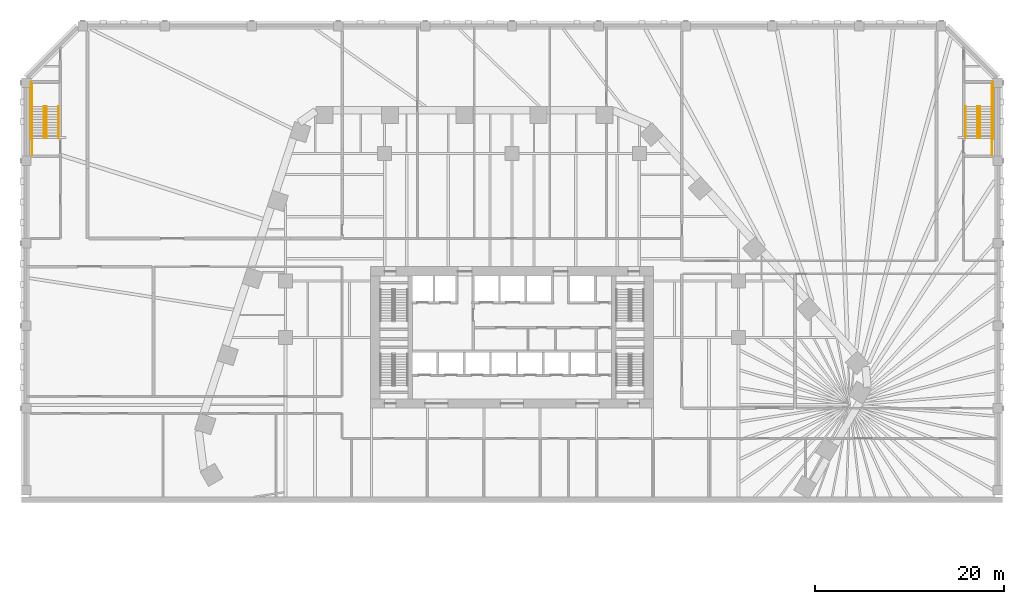
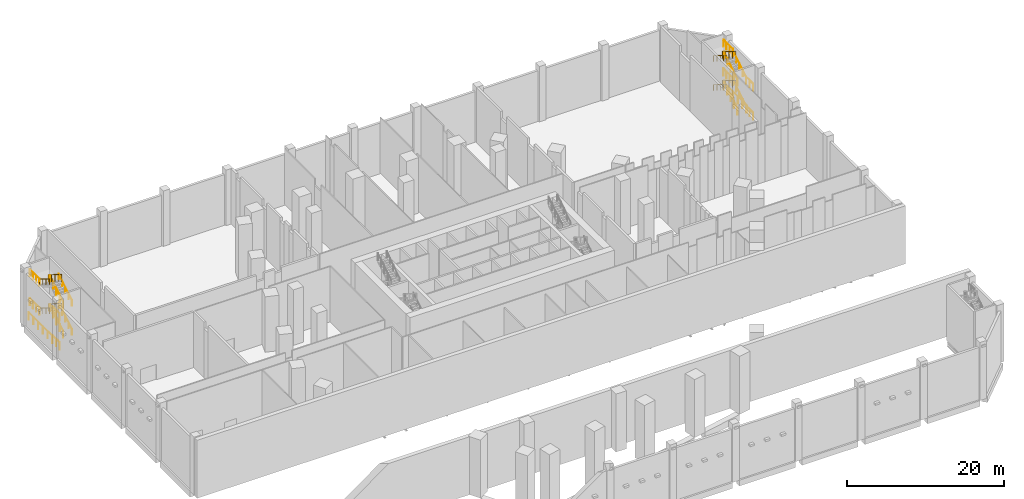
# One storey, part 23 of 23: 26 railings.
"""IFC4 building model written with IfcOpenShell, lengths in metres."""

from ifc_helpers import new_model, si_unit, direction, frame, origin, origin_2d, place, context, subcontext, project, spatial, circle, extrude, material, type_object, element, save


model = new_model("IFC4")

# Units and contexts
model_context = context("Model", 3, precision=1e-05, world=origin(), true_north=direction((0.0, 1.0)))
body_context = subcontext(model_context, "Body", "Model", "MODEL_VIEW")
ifc_project = project(units=[si_unit("LENGTHUNIT", "METRE"), si_unit("AREAUNIT", "SQUARE_METRE"), si_unit("VOLUMEUNIT", "CUBIC_METRE"), si_unit("PLANEANGLEUNIT", "RADIAN"), si_unit("MASSUNIT", "GRAM", prefix="KILO")], contexts=[model_context])

# Site, building, storey
site_placement = place(None, origin())
site = spatial("IfcSite", under=ifc_project, at=site_placement, CompositionType="ELEMENT")
building_placement = place(site_placement, origin())
building = spatial("IfcBuilding", under=site, at=building_placement, Name="Isthmus Gate Tower", CompositionType="ELEMENT")
storey_placement = place(building_placement, frame((0.0, 0.0, 9.0)))
storey = spatial("IfcBuildingStorey", under=building, at=storey_placement, Name="L01", CompositionType="ELEMENT", Elevation=9.0)

# Railings
ifc_material_1 = material(Name="Painted steel balusters with timber handrail", Category="steel")
railing_type_1 = type_object("IfcRailingType", Name="Podium stair guard 1100", PredefinedType="GUARDRAIL", material=ifc_material_1)
railing_1_placement = place(storey_placement, frame((49.60009765625, 28.625, 0.173095703125)))
element("IfcRailing", 1, at=railing_1_placement, inside=storey, type_object=railing_type_1, Name="L01 ST5 stair guard 1", PredefinedType="GUARDRAIL", context=body_context, shape_type="SweptSolid", body=[
    extrude(circle(Radius=0.02392578125, at=origin_2d()), frame((0.0, 0.0, 1.076171875), z_axis=(0.0, 0.850623216509, 0.525775754039), x_axis=(-1.0, 0.0, 0.0)), (0.0, 0.0, 1.0), 3.9501953125),
    extrude(circle(Radius=0.02099609375, at=origin_2d()), origin(), (0.0, 0.0, 1.0), 1.052001953125),
    extrude(circle(Radius=0.02099609375, at=origin_2d()), frame((0.0, 0.840087890625, 0.519287109375)), (0.0, 0.0, 1.0), 1.052001953125),
    extrude(circle(Radius=0.02099609375, at=origin_2d()), frame((0.0, 1.68017578125, 1.03857421875)), (0.0, 0.0, 1.0), 1.052001953125),
    extrude(circle(Radius=0.02099609375, at=origin_2d()), frame((0.0, 2.52001953125, 1.5576171875)), (0.0, 0.0, 1.0), 1.052001953125),
    extrude(circle(Radius=0.02099609375, at=origin_2d()), frame((0.0, 3.360107421875, 2.076904296875)), (0.0, 0.0, 1.0), 1.052001953125),
])
railing_2_placement = place(storey_placement, frame((50.89990234375, 31.985107421875, 2.25)))
element("IfcRailing", 2, at=railing_2_placement, inside=storey, type_object=railing_type_1, Name="L01 ST5 stair guard 2", PredefinedType="GUARDRAIL", context=body_context, shape_type="SweptSolid", body=[
    extrude(circle(Radius=0.02392578125, at=origin_2d()), frame((0.0, 0.0, 1.076171875), z_axis=(0.0, 1.0, 0.0), x_axis=(-1.0, 0.0, 0.0)), (0.0, 0.0, 1.0), 2.43994140625),
    extrude(circle(Radius=0.02099609375, at=origin_2d()), origin(), (0.0, 0.0, 1.0), 1.052001953125),
    extrude(circle(Radius=0.02099609375, at=origin_2d()), frame((0.0, 0.813232421875, 0.0)), (0.0, 0.0, 1.0), 1.052001953125),
    extrude(circle(Radius=0.02099609375, at=origin_2d()), frame((0.0, 1.626708984375, 0.0)), (0.0, 0.0, 1.0), 1.052001953125),
    extrude(circle(Radius=0.02099609375, at=origin_2d()), frame((0.0, 2.43994140625, 0.0)), (0.0, 0.0, 1.0), 1.052001953125),
])
railing_3_placement = place(storey_placement, frame((49.35009765625, 31.985107421875, 2.423095703125)))
element("IfcRailing", 3, at=railing_3_placement, inside=storey, type_object=railing_type_1, Name="L01 ST5 stair guard 3", PredefinedType="GUARDRAIL", context=body_context, shape_type="SweptSolid", body=[
    extrude(circle(Radius=0.02392578125, at=origin_2d()), frame((0.0, 0.0, 1.076171875), z_axis=(0.0, -0.850623216509, 0.525775754039), x_axis=(1.0, 0.0, 0.0)), (0.0, 0.0, 1.0), 3.9501953125),
    extrude(circle(Radius=0.02099609375, at=origin_2d()), origin(), (0.0, 0.0, 1.0), 1.052001953125),
    extrude(circle(Radius=0.02099609375, at=origin_2d()), frame((0.0, -0.840087890625, 0.519287109375)), (0.0, 0.0, 1.0), 1.052001953125),
    extrude(circle(Radius=0.02099609375, at=origin_2d()), frame((0.0, -1.68017578125, 1.03857421875)), (0.0, 0.0, 1.0), 1.052001953125),
    extrude(circle(Radius=0.02099609375, at=origin_2d()), frame((0.0, -2.52001953125, 1.5576171875)), (0.0, 0.0, 1.0), 1.052001953125),
    extrude(circle(Radius=0.02099609375, at=origin_2d()), frame((0.0, -3.360107421875, 2.076904296875)), (0.0, 0.0, 1.0), 1.052001953125),
])
railing_4_placement = place(storey_placement, frame((50.89990234375, 26.824951171875, 4.5)))
element("IfcRailing", 4, at=railing_4_placement, inside=storey, type_object=railing_type_1, Name="L01 ST5 stair guard 4", PredefinedType="GUARDRAIL", context=body_context, shape_type="SweptSolid", body=[
    extrude(circle(Radius=0.02392578125, at=origin_2d()), frame((0.0, 0.0, 1.076171875), z_axis=(0.0, 1.0, 0.0), x_axis=(-1.0, 0.0, 0.0)), (0.0, 0.0, 1.0), 1.800048828125),
    extrude(circle(Radius=0.02099609375, at=origin_2d()), origin(), (0.0, 0.0, 1.0), 1.052001953125),
    extrude(circle(Radius=0.02099609375, at=origin_2d()), frame((0.0, 0.89990234375, 0.0)), (0.0, 0.0, 1.0), 1.052001953125),
    extrude(circle(Radius=0.02099609375, at=origin_2d()), frame((0.0, 1.800048828125, 0.0)), (0.0, 0.0, 1.0), 1.052001953125),
])
railing_5_placement = place(storey_placement, frame((49.60009765625, 28.625, 4.673095703125)))
element("IfcRailing", 5, at=railing_5_placement, inside=storey, type_object=railing_type_1, Name="L01 ST5 stair guard 5", PredefinedType="GUARDRAIL", context=body_context, shape_type="SweptSolid", body=[
    extrude(circle(Radius=0.02392578125, at=origin_2d()), frame((0.0, 0.0, 1.076171875), z_axis=(0.0, 0.850623216509, 0.525775754039), x_axis=(-1.0, 0.0, 0.0)), (0.0, 0.0, 1.0), 3.9501953125),
    extrude(circle(Radius=0.02099609375, at=origin_2d()), origin(), (0.0, 0.0, 1.0), 1.052001953125),
    extrude(circle(Radius=0.02099609375, at=origin_2d()), frame((0.0, 0.840087890625, 0.519287109375)), (0.0, 0.0, 1.0), 1.052001953125),
    extrude(circle(Radius=0.02099609375, at=origin_2d()), frame((0.0, 1.68017578125, 1.03857421875)), (0.0, 0.0, 1.0), 1.052001953125),
    extrude(circle(Radius=0.02099609375, at=origin_2d()), frame((0.0, 2.52001953125, 1.5576171875)), (0.0, 0.0, 1.0), 1.052001953125),
    extrude(circle(Radius=0.02099609375, at=origin_2d()), frame((0.0, 3.360107421875, 2.076904296875)), (0.0, 0.0, 1.0), 1.052001953125),
])
railing_6_placement = place(storey_placement, frame((50.89990234375, 31.985107421875, 6.75)))
element("IfcRailing", 6, at=railing_6_placement, inside=storey, type_object=railing_type_1, Name="L01 ST5 stair guard 6", PredefinedType="GUARDRAIL", context=body_context, shape_type="SweptSolid", body=[
    extrude(circle(Radius=0.02392578125, at=origin_2d()), frame((0.0, 0.0, 1.076171875), z_axis=(0.0, 1.0, 0.0), x_axis=(-1.0, 0.0, 0.0)), (0.0, 0.0, 1.0), 2.43994140625),
    extrude(circle(Radius=0.02099609375, at=origin_2d()), origin(), (0.0, 0.0, 1.0), 1.052001953125),
    extrude(circle(Radius=0.02099609375, at=origin_2d()), frame((0.0, 0.813232421875, 0.0)), (0.0, 0.0, 1.0), 1.052001953125),
    extrude(circle(Radius=0.02099609375, at=origin_2d()), frame((0.0, 1.626708984375, 0.0)), (0.0, 0.0, 1.0), 1.052001953125),
    extrude(circle(Radius=0.02099609375, at=origin_2d()), frame((0.0, 2.43994140625, 0.0)), (0.0, 0.0, 1.0), 1.052001953125),
])
railing_7_placement = place(storey_placement, frame((49.35009765625, 31.985107421875, 6.923095703125)))
element("IfcRailing", 7, at=railing_7_placement, inside=storey, type_object=railing_type_1, Name="L01 ST5 stair guard 7", PredefinedType="GUARDRAIL", context=body_context, shape_type="SweptSolid", body=[
    extrude(circle(Radius=0.02392578125, at=origin_2d()), frame((0.0, 0.0, 1.076171875), z_axis=(0.0, -0.850623216509, 0.525775754039), x_axis=(1.0, 0.0, 0.0)), (0.0, 0.0, 1.0), 3.9501953125),
    extrude(circle(Radius=0.02099609375, at=origin_2d()), origin(), (0.0, 0.0, 1.0), 1.052001953125),
    extrude(circle(Radius=0.02099609375, at=origin_2d()), frame((0.0, -0.840087890625, 0.519287109375)), (0.0, 0.0, 1.0), 1.052001953125),
    extrude(circle(Radius=0.02099609375, at=origin_2d()), frame((0.0, -1.68017578125, 1.03857421875)), (0.0, 0.0, 1.0), 1.052001953125),
    extrude(circle(Radius=0.02099609375, at=origin_2d()), frame((0.0, -2.52001953125, 1.5576171875)), (0.0, 0.0, 1.0), 1.052001953125),
    extrude(circle(Radius=0.02099609375, at=origin_2d()), frame((0.0, -3.360107421875, 2.076904296875)), (0.0, 0.0, 1.0), 1.052001953125),
])
railing_8_placement = place(storey_placement, frame((50.89990234375, 26.824951171875, 0.0)))
element("IfcRailing", 8, at=railing_8_placement, inside=storey, type_object=railing_type_1, Name="L01 ST5 stair guard 8", PredefinedType="GUARDRAIL", context=body_context, shape_type="SweptSolid", body=[
    extrude(circle(Radius=0.02392578125, at=origin_2d()), frame((0.0, 0.0, 1.076171875), z_axis=(0.0, 1.0, 0.0), x_axis=(-1.0, 0.0, 0.0)), (0.0, 0.0, 1.0), 1.800048828125),
    extrude(circle(Radius=0.02099609375, at=origin_2d()), origin(), (0.0, 0.0, 1.0), 1.052001953125),
    extrude(circle(Radius=0.02099609375, at=origin_2d()), frame((0.0, 0.89990234375, 0.0)), (0.0, 0.0, 1.0), 1.052001953125),
    extrude(circle(Radius=0.02099609375, at=origin_2d()), frame((0.0, 1.800048828125, 0.0)), (0.0, 0.0, 1.0), 1.052001953125),
])
railing_9_placement = place(storey_placement, frame((51.0, 28.52490234375, 0.0)))
element("IfcRailing", 9, at=railing_9_placement, inside=storey, type_object=railing_type_1, Name="L01 ST5 stair guard 9", PredefinedType="GUARDRAIL", context=body_context, shape_type="SweptSolid", body=[
    extrude(circle(Radius=0.02392578125, at=origin_2d()), frame((0.0, 0.0, 1.076171875), z_axis=(0.0, 1.0, 0.0), x_axis=(-1.0, 0.0, 0.0)), (0.0, 0.0, 1.0), 6.0),
    extrude(circle(Radius=0.02099609375, at=origin_2d()), origin(), (0.0, 0.0, 1.0), 1.052001953125),
    extrude(circle(Radius=0.02099609375, at=origin_2d()), frame((0.0, 1.199951171875, 0.0)), (0.0, 0.0, 1.0), 1.052001953125),
    extrude(circle(Radius=0.02099609375, at=origin_2d()), frame((0.0, 2.39990234375, 0.0)), (0.0, 0.0, 1.0), 1.052001953125),
    extrude(circle(Radius=0.02099609375, at=origin_2d()), frame((0.0, 3.60009765625, 0.0)), (0.0, 0.0, 1.0), 1.052001953125),
    extrude(circle(Radius=0.02099609375, at=origin_2d()), frame((0.0, 4.800048828125, 0.0)), (0.0, 0.0, 1.0), 1.052001953125),
    extrude(circle(Radius=0.02099609375, at=origin_2d()), frame((0.0, 6.0, 0.0)), (0.0, 0.0, 1.0), 1.052001953125),
])
railing_10_placement = place(storey_placement, frame((-49.35009765625, 28.625, 0.173095703125)))
element("IfcRailing", 10, at=railing_10_placement, inside=storey, type_object=railing_type_1, Name="L01 ST6 stair guard 1", PredefinedType="GUARDRAIL", context=body_context, shape_type="SweptSolid", body=[
    extrude(circle(Radius=0.02392578125, at=origin_2d()), frame((0.0, 0.0, 1.076171875), z_axis=(0.0, 0.850623216509, 0.525775754039), x_axis=(-1.0, 0.0, 0.0)), (0.0, 0.0, 1.0), 3.9501953125),
    extrude(circle(Radius=0.02099609375, at=origin_2d()), origin(), (0.0, 0.0, 1.0), 1.052001953125),
    extrude(circle(Radius=0.02099609375, at=origin_2d()), frame((0.0, 0.840087890625, 0.519287109375)), (0.0, 0.0, 1.0), 1.052001953125),
    extrude(circle(Radius=0.02099609375, at=origin_2d()), frame((0.0, 1.68017578125, 1.03857421875)), (0.0, 0.0, 1.0), 1.052001953125),
    extrude(circle(Radius=0.02099609375, at=origin_2d()), frame((0.0, 2.52001953125, 1.5576171875)), (0.0, 0.0, 1.0), 1.052001953125),
    extrude(circle(Radius=0.02099609375, at=origin_2d()), frame((0.0, 3.360107421875, 2.076904296875)), (0.0, 0.0, 1.0), 1.052001953125),
])
railing_11_placement = place(storey_placement, frame((-50.89990234375, 31.985107421875, 2.25)))
element("IfcRailing", 11, at=railing_11_placement, inside=storey, type_object=railing_type_1, Name="L01 ST6 stair guard 2", PredefinedType="GUARDRAIL", context=body_context, shape_type="SweptSolid", body=[
    extrude(circle(Radius=0.02392578125, at=origin_2d()), frame((0.0, 0.0, 1.076171875), z_axis=(0.0, 1.0, 0.0), x_axis=(-1.0, 0.0, 0.0)), (0.0, 0.0, 1.0), 2.43994140625),
    extrude(circle(Radius=0.02099609375, at=origin_2d()), origin(), (0.0, 0.0, 1.0), 1.052001953125),
    extrude(circle(Radius=0.02099609375, at=origin_2d()), frame((0.0, 0.813232421875, 0.0)), (0.0, 0.0, 1.0), 1.052001953125),
    extrude(circle(Radius=0.02099609375, at=origin_2d()), frame((0.0, 1.626708984375, 0.0)), (0.0, 0.0, 1.0), 1.052001953125),
    extrude(circle(Radius=0.02099609375, at=origin_2d()), frame((0.0, 2.43994140625, 0.0)), (0.0, 0.0, 1.0), 1.052001953125),
])
railing_12_placement = place(storey_placement, frame((-49.60009765625, 31.985107421875, 2.423095703125)))
element("IfcRailing", 12, at=railing_12_placement, inside=storey, type_object=railing_type_1, Name="L01 ST6 stair guard 3", PredefinedType="GUARDRAIL", context=body_context, shape_type="SweptSolid", body=[
    extrude(circle(Radius=0.02392578125, at=origin_2d()), frame((0.0, 0.0, 1.076171875), z_axis=(0.0, -0.850623216509, 0.525775754039), x_axis=(1.0, 0.0, 0.0)), (0.0, 0.0, 1.0), 3.9501953125),
    extrude(circle(Radius=0.02099609375, at=origin_2d()), origin(), (0.0, 0.0, 1.0), 1.052001953125),
    extrude(circle(Radius=0.02099609375, at=origin_2d()), frame((0.0, -0.840087890625, 0.519287109375)), (0.0, 0.0, 1.0), 1.052001953125),
    extrude(circle(Radius=0.02099609375, at=origin_2d()), frame((0.0, -1.68017578125, 1.03857421875)), (0.0, 0.0, 1.0), 1.052001953125),
    extrude(circle(Radius=0.02099609375, at=origin_2d()), frame((0.0, -2.52001953125, 1.5576171875)), (0.0, 0.0, 1.0), 1.052001953125),
    extrude(circle(Radius=0.02099609375, at=origin_2d()), frame((0.0, -3.360107421875, 2.076904296875)), (0.0, 0.0, 1.0), 1.052001953125),
])
railing_13_placement = place(storey_placement, frame((-50.89990234375, 26.824951171875, 4.5)))
element("IfcRailing", 13, at=railing_13_placement, inside=storey, type_object=railing_type_1, Name="L01 ST6 stair guard 4", PredefinedType="GUARDRAIL", context=body_context, shape_type="SweptSolid", body=[
    extrude(circle(Radius=0.02392578125, at=origin_2d()), frame((0.0, 0.0, 1.076171875), z_axis=(0.0, 1.0, 0.0), x_axis=(-1.0, 0.0, 0.0)), (0.0, 0.0, 1.0), 1.800048828125),
    extrude(circle(Radius=0.02099609375, at=origin_2d()), origin(), (0.0, 0.0, 1.0), 1.052001953125),
    extrude(circle(Radius=0.02099609375, at=origin_2d()), frame((0.0, 0.89990234375, 0.0)), (0.0, 0.0, 1.0), 1.052001953125),
    extrude(circle(Radius=0.02099609375, at=origin_2d()), frame((0.0, 1.800048828125, 0.0)), (0.0, 0.0, 1.0), 1.052001953125),
])
railing_14_placement = place(storey_placement, frame((-49.35009765625, 28.625, 4.673095703125)))
element("IfcRailing", 14, at=railing_14_placement, inside=storey, type_object=railing_type_1, Name="L01 ST6 stair guard 5", PredefinedType="GUARDRAIL", context=body_context, shape_type="SweptSolid", body=[
    extrude(circle(Radius=0.02392578125, at=origin_2d()), frame((0.0, 0.0, 1.076171875), z_axis=(0.0, 0.850623216509, 0.525775754039), x_axis=(-1.0, 0.0, 0.0)), (0.0, 0.0, 1.0), 3.9501953125),
    extrude(circle(Radius=0.02099609375, at=origin_2d()), origin(), (0.0, 0.0, 1.0), 1.052001953125),
    extrude(circle(Radius=0.02099609375, at=origin_2d()), frame((0.0, 0.840087890625, 0.519287109375)), (0.0, 0.0, 1.0), 1.052001953125),
    extrude(circle(Radius=0.02099609375, at=origin_2d()), frame((0.0, 1.68017578125, 1.03857421875)), (0.0, 0.0, 1.0), 1.052001953125),
    extrude(circle(Radius=0.02099609375, at=origin_2d()), frame((0.0, 2.52001953125, 1.5576171875)), (0.0, 0.0, 1.0), 1.052001953125),
    extrude(circle(Radius=0.02099609375, at=origin_2d()), frame((0.0, 3.360107421875, 2.076904296875)), (0.0, 0.0, 1.0), 1.052001953125),
])
railing_15_placement = place(storey_placement, frame((-50.89990234375, 31.985107421875, 6.75)))
element("IfcRailing", 15, at=railing_15_placement, inside=storey, type_object=railing_type_1, Name="L01 ST6 stair guard 6", PredefinedType="GUARDRAIL", context=body_context, shape_type="SweptSolid", body=[
    extrude(circle(Radius=0.02392578125, at=origin_2d()), frame((0.0, 0.0, 1.076171875), z_axis=(0.0, 1.0, 0.0), x_axis=(-1.0, 0.0, 0.0)), (0.0, 0.0, 1.0), 2.43994140625),
    extrude(circle(Radius=0.02099609375, at=origin_2d()), origin(), (0.0, 0.0, 1.0), 1.052001953125),
    extrude(circle(Radius=0.02099609375, at=origin_2d()), frame((0.0, 0.813232421875, 0.0)), (0.0, 0.0, 1.0), 1.052001953125),
    extrude(circle(Radius=0.02099609375, at=origin_2d()), frame((0.0, 1.626708984375, 0.0)), (0.0, 0.0, 1.0), 1.052001953125),
    extrude(circle(Radius=0.02099609375, at=origin_2d()), frame((0.0, 2.43994140625, 0.0)), (0.0, 0.0, 1.0), 1.052001953125),
])
railing_16_placement = place(storey_placement, frame((-49.60009765625, 31.985107421875, 6.923095703125)))
element("IfcRailing", 16, at=railing_16_placement, inside=storey, type_object=railing_type_1, Name="L01 ST6 stair guard 7", PredefinedType="GUARDRAIL", context=body_context, shape_type="SweptSolid", body=[
    extrude(circle(Radius=0.02392578125, at=origin_2d()), frame((0.0, 0.0, 1.076171875), z_axis=(0.0, -0.850623216509, 0.525775754039), x_axis=(1.0, 0.0, 0.0)), (0.0, 0.0, 1.0), 3.9501953125),
    extrude(circle(Radius=0.02099609375, at=origin_2d()), origin(), (0.0, 0.0, 1.0), 1.052001953125),
    extrude(circle(Radius=0.02099609375, at=origin_2d()), frame((0.0, -0.840087890625, 0.519287109375)), (0.0, 0.0, 1.0), 1.052001953125),
    extrude(circle(Radius=0.02099609375, at=origin_2d()), frame((0.0, -1.68017578125, 1.03857421875)), (0.0, 0.0, 1.0), 1.052001953125),
    extrude(circle(Radius=0.02099609375, at=origin_2d()), frame((0.0, -2.52001953125, 1.5576171875)), (0.0, 0.0, 1.0), 1.052001953125),
    extrude(circle(Radius=0.02099609375, at=origin_2d()), frame((0.0, -3.360107421875, 2.076904296875)), (0.0, 0.0, 1.0), 1.052001953125),
])
railing_17_placement = place(storey_placement, frame((-50.89990234375, 26.824951171875, 0.0)))
element("IfcRailing", 17, at=railing_17_placement, inside=storey, type_object=railing_type_1, Name="L01 ST6 stair guard 8", PredefinedType="GUARDRAIL", context=body_context, shape_type="SweptSolid", body=[
    extrude(circle(Radius=0.02392578125, at=origin_2d()), frame((0.0, 0.0, 1.076171875), z_axis=(0.0, 1.0, 0.0), x_axis=(-1.0, 0.0, 0.0)), (0.0, 0.0, 1.0), 1.800048828125),
    extrude(circle(Radius=0.02099609375, at=origin_2d()), origin(), (0.0, 0.0, 1.0), 1.052001953125),
    extrude(circle(Radius=0.02099609375, at=origin_2d()), frame((0.0, 0.89990234375, 0.0)), (0.0, 0.0, 1.0), 1.052001953125),
    extrude(circle(Radius=0.02099609375, at=origin_2d()), frame((0.0, 1.800048828125, 0.0)), (0.0, 0.0, 1.0), 1.052001953125),
])
railing_18_placement = place(storey_placement, frame((-51.0, 28.52490234375, 0.0)))
element("IfcRailing", 18, at=railing_18_placement, inside=storey, type_object=railing_type_1, Name="L01 ST6 stair guard 9", PredefinedType="GUARDRAIL", context=body_context, shape_type="SweptSolid", body=[
    extrude(circle(Radius=0.02392578125, at=origin_2d()), frame((0.0, 0.0, 1.076171875), z_axis=(0.0, 1.0, 0.0), x_axis=(-1.0, 0.0, 0.0)), (0.0, 0.0, 1.0), 6.0),
    extrude(circle(Radius=0.02099609375, at=origin_2d()), origin(), (0.0, 0.0, 1.0), 1.052001953125),
    extrude(circle(Radius=0.02099609375, at=origin_2d()), frame((0.0, 1.199951171875, 0.0)), (0.0, 0.0, 1.0), 1.052001953125),
    extrude(circle(Radius=0.02099609375, at=origin_2d()), frame((0.0, 2.39990234375, 0.0)), (0.0, 0.0, 1.0), 1.052001953125),
    extrude(circle(Radius=0.02099609375, at=origin_2d()), frame((0.0, 3.60009765625, 0.0)), (0.0, 0.0, 1.0), 1.052001953125),
    extrude(circle(Radius=0.02099609375, at=origin_2d()), frame((0.0, 4.800048828125, 0.0)), (0.0, 0.0, 1.0), 1.052001953125),
    extrude(circle(Radius=0.02099609375, at=origin_2d()), frame((0.0, 6.0, 0.0)), (0.0, 0.0, 1.0), 1.052001953125),
])
ifc_material_2 = material(Name="Stainless steel tube", Category="steel")
railing_type_2 = type_object("IfcRailingType", Name="Podium stair handrail 900", PredefinedType="HANDRAIL", material=ifc_material_2)
railing_19_placement = place(storey_placement, frame((50.89990234375, 28.625, 0.173095703125)))
element("IfcRailing", 19, at=railing_19_placement, inside=storey, type_object=railing_type_2, Name="L01 ST5 stair handrail 1", PredefinedType="HANDRAIL", context=body_context, shape_type="SweptSolid", body=[
    extrude(circle(Radius=0.02392578125, at=origin_2d()), frame((0.0, 0.0, 0.8759765625), z_axis=(0.0, 0.850623216509, 0.525775754039), x_axis=(-1.0, 0.0, 0.0)), (0.0, 0.0, 1.0), 3.9501953125),
    extrude(circle(Radius=0.02099609375, at=origin_2d()), origin(), (0.0, 0.0, 1.0), 0.851806640625),
    extrude(circle(Radius=0.02099609375, at=origin_2d()), frame((0.0, 0.840087890625, 0.519287109375)), (0.0, 0.0, 1.0), 0.851806640625),
    extrude(circle(Radius=0.02099609375, at=origin_2d()), frame((0.0, 1.68017578125, 1.03857421875)), (0.0, 0.0, 1.0), 0.851806640625),
    extrude(circle(Radius=0.02099609375, at=origin_2d()), frame((0.0, 2.52001953125, 1.5576171875)), (0.0, 0.0, 1.0), 0.851806640625),
    extrude(circle(Radius=0.02099609375, at=origin_2d()), frame((0.0, 3.360107421875, 2.076904296875)), (0.0, 0.0, 1.0), 0.851806640625),
])
railing_20_placement = place(storey_placement, frame((48.050048828125, 31.985107421875, 2.423095703125)))
element("IfcRailing", 20, at=railing_20_placement, inside=storey, type_object=railing_type_2, Name="L01 ST5 stair handrail 2", PredefinedType="HANDRAIL", context=body_context, shape_type="SweptSolid", body=[
    extrude(circle(Radius=0.02392578125, at=origin_2d()), frame((0.0, 0.0, 0.8759765625), z_axis=(0.0, -0.850623216509, 0.525775754039), x_axis=(1.0, 0.0, 0.0)), (0.0, 0.0, 1.0), 3.9501953125),
    extrude(circle(Radius=0.02099609375, at=origin_2d()), origin(), (0.0, 0.0, 1.0), 0.851806640625),
    extrude(circle(Radius=0.02099609375, at=origin_2d()), frame((0.0, -0.840087890625, 0.519287109375)), (0.0, 0.0, 1.0), 0.851806640625),
    extrude(circle(Radius=0.02099609375, at=origin_2d()), frame((0.0, -1.68017578125, 1.03857421875)), (0.0, 0.0, 1.0), 0.851806640625),
    extrude(circle(Radius=0.02099609375, at=origin_2d()), frame((0.0, -2.52001953125, 1.5576171875)), (0.0, 0.0, 1.0), 0.851806640625),
    extrude(circle(Radius=0.02099609375, at=origin_2d()), frame((0.0, -3.360107421875, 2.076904296875)), (0.0, 0.0, 1.0), 0.851806640625),
])
railing_21_placement = place(storey_placement, frame((50.89990234375, 28.625, 4.673095703125)))
element("IfcRailing", 21, at=railing_21_placement, inside=storey, type_object=railing_type_2, Name="L01 ST5 stair handrail 3", PredefinedType="HANDRAIL", context=body_context, shape_type="SweptSolid", body=[
    extrude(circle(Radius=0.02392578125, at=origin_2d()), frame((0.0, 0.0, 0.8759765625), z_axis=(0.0, 0.850623216509, 0.525775754039), x_axis=(-1.0, 0.0, 0.0)), (0.0, 0.0, 1.0), 3.9501953125),
    extrude(circle(Radius=0.02099609375, at=origin_2d()), origin(), (0.0, 0.0, 1.0), 0.851806640625),
    extrude(circle(Radius=0.02099609375, at=origin_2d()), frame((0.0, 0.840087890625, 0.519287109375)), (0.0, 0.0, 1.0), 0.851806640625),
    extrude(circle(Radius=0.02099609375, at=origin_2d()), frame((0.0, 1.68017578125, 1.03857421875)), (0.0, 0.0, 1.0), 0.851806640625),
    extrude(circle(Radius=0.02099609375, at=origin_2d()), frame((0.0, 2.52001953125, 1.5576171875)), (0.0, 0.0, 1.0), 0.851806640625),
    extrude(circle(Radius=0.02099609375, at=origin_2d()), frame((0.0, 3.360107421875, 2.076904296875)), (0.0, 0.0, 1.0), 0.851806640625),
])
railing_22_placement = place(storey_placement, frame((48.050048828125, 31.985107421875, 6.923095703125)))
element("IfcRailing", 22, at=railing_22_placement, inside=storey, type_object=railing_type_2, Name="L01 ST5 stair handrail 4", PredefinedType="HANDRAIL", context=body_context, shape_type="SweptSolid", body=[
    extrude(circle(Radius=0.02392578125, at=origin_2d()), frame((0.0, 0.0, 0.8759765625), z_axis=(0.0, -0.850623216509, 0.525775754039), x_axis=(1.0, 0.0, 0.0)), (0.0, 0.0, 1.0), 3.9501953125),
    extrude(circle(Radius=0.02099609375, at=origin_2d()), origin(), (0.0, 0.0, 1.0), 0.851806640625),
    extrude(circle(Radius=0.02099609375, at=origin_2d()), frame((0.0, -0.840087890625, 0.519287109375)), (0.0, 0.0, 1.0), 0.851806640625),
    extrude(circle(Radius=0.02099609375, at=origin_2d()), frame((0.0, -1.68017578125, 1.03857421875)), (0.0, 0.0, 1.0), 0.851806640625),
    extrude(circle(Radius=0.02099609375, at=origin_2d()), frame((0.0, -2.52001953125, 1.5576171875)), (0.0, 0.0, 1.0), 0.851806640625),
    extrude(circle(Radius=0.02099609375, at=origin_2d()), frame((0.0, -3.360107421875, 2.076904296875)), (0.0, 0.0, 1.0), 0.851806640625),
])
railing_23_placement = place(storey_placement, frame((-48.050048828125, 28.625, 0.173095703125)))
element("IfcRailing", 23, at=railing_23_placement, inside=storey, type_object=railing_type_2, Name="L01 ST6 stair handrail 1", PredefinedType="HANDRAIL", context=body_context, shape_type="SweptSolid", body=[
    extrude(circle(Radius=0.02392578125, at=origin_2d()), frame((0.0, 0.0, 0.8759765625), z_axis=(0.0, 0.850623216509, 0.525775754039), x_axis=(-1.0, 0.0, 0.0)), (0.0, 0.0, 1.0), 3.9501953125),
    extrude(circle(Radius=0.02099609375, at=origin_2d()), origin(), (0.0, 0.0, 1.0), 0.851806640625),
    extrude(circle(Radius=0.02099609375, at=origin_2d()), frame((0.0, 0.840087890625, 0.519287109375)), (0.0, 0.0, 1.0), 0.851806640625),
    extrude(circle(Radius=0.02099609375, at=origin_2d()), frame((0.0, 1.68017578125, 1.03857421875)), (0.0, 0.0, 1.0), 0.851806640625),
    extrude(circle(Radius=0.02099609375, at=origin_2d()), frame((0.0, 2.52001953125, 1.5576171875)), (0.0, 0.0, 1.0), 0.851806640625),
    extrude(circle(Radius=0.02099609375, at=origin_2d()), frame((0.0, 3.360107421875, 2.076904296875)), (0.0, 0.0, 1.0), 0.851806640625),
])
railing_24_placement = place(storey_placement, frame((-50.89990234375, 31.985107421875, 2.423095703125)))
element("IfcRailing", 24, at=railing_24_placement, inside=storey, type_object=railing_type_2, Name="L01 ST6 stair handrail 2", PredefinedType="HANDRAIL", context=body_context, shape_type="SweptSolid", body=[
    extrude(circle(Radius=0.02392578125, at=origin_2d()), frame((0.0, 0.0, 0.8759765625), z_axis=(0.0, -0.850623216509, 0.525775754039), x_axis=(1.0, 0.0, 0.0)), (0.0, 0.0, 1.0), 3.9501953125),
    extrude(circle(Radius=0.02099609375, at=origin_2d()), origin(), (0.0, 0.0, 1.0), 0.851806640625),
    extrude(circle(Radius=0.02099609375, at=origin_2d()), frame((0.0, -0.840087890625, 0.519287109375)), (0.0, 0.0, 1.0), 0.851806640625),
    extrude(circle(Radius=0.02099609375, at=origin_2d()), frame((0.0, -1.68017578125, 1.03857421875)), (0.0, 0.0, 1.0), 0.851806640625),
    extrude(circle(Radius=0.02099609375, at=origin_2d()), frame((0.0, -2.52001953125, 1.5576171875)), (0.0, 0.0, 1.0), 0.851806640625),
    extrude(circle(Radius=0.02099609375, at=origin_2d()), frame((0.0, -3.360107421875, 2.076904296875)), (0.0, 0.0, 1.0), 0.851806640625),
])
railing_25_placement = place(storey_placement, frame((-48.050048828125, 28.625, 4.673095703125)))
element("IfcRailing", 25, at=railing_25_placement, inside=storey, type_object=railing_type_2, Name="L01 ST6 stair handrail 3", PredefinedType="HANDRAIL", context=body_context, shape_type="SweptSolid", body=[
    extrude(circle(Radius=0.02392578125, at=origin_2d()), frame((0.0, 0.0, 0.8759765625), z_axis=(0.0, 0.850623216509, 0.525775754039), x_axis=(-1.0, 0.0, 0.0)), (0.0, 0.0, 1.0), 3.9501953125),
    extrude(circle(Radius=0.02099609375, at=origin_2d()), origin(), (0.0, 0.0, 1.0), 0.851806640625),
    extrude(circle(Radius=0.02099609375, at=origin_2d()), frame((0.0, 0.840087890625, 0.519287109375)), (0.0, 0.0, 1.0), 0.851806640625),
    extrude(circle(Radius=0.02099609375, at=origin_2d()), frame((0.0, 1.68017578125, 1.03857421875)), (0.0, 0.0, 1.0), 0.851806640625),
    extrude(circle(Radius=0.02099609375, at=origin_2d()), frame((0.0, 2.52001953125, 1.5576171875)), (0.0, 0.0, 1.0), 0.851806640625),
    extrude(circle(Radius=0.02099609375, at=origin_2d()), frame((0.0, 3.360107421875, 2.076904296875)), (0.0, 0.0, 1.0), 0.851806640625),
])
railing_26_placement = place(storey_placement, frame((-50.89990234375, 31.985107421875, 6.923095703125)))
element("IfcRailing", 26, at=railing_26_placement, inside=storey, type_object=railing_type_2, Name="L01 ST6 stair handrail 4", PredefinedType="HANDRAIL", context=body_context, shape_type="SweptSolid", body=[
    extrude(circle(Radius=0.02392578125, at=origin_2d()), frame((0.0, 0.0, 0.8759765625), z_axis=(0.0, -0.850623216509, 0.525775754039), x_axis=(1.0, 0.0, 0.0)), (0.0, 0.0, 1.0), 3.9501953125),
    extrude(circle(Radius=0.02099609375, at=origin_2d()), origin(), (0.0, 0.0, 1.0), 0.851806640625),
    extrude(circle(Radius=0.02099609375, at=origin_2d()), frame((0.0, -0.840087890625, 0.519287109375)), (0.0, 0.0, 1.0), 0.851806640625),
    extrude(circle(Radius=0.02099609375, at=origin_2d()), frame((0.0, -1.68017578125, 1.03857421875)), (0.0, 0.0, 1.0), 0.851806640625),
    extrude(circle(Radius=0.02099609375, at=origin_2d()), frame((0.0, -2.52001953125, 1.5576171875)), (0.0, 0.0, 1.0), 0.851806640625),
    extrude(circle(Radius=0.02099609375, at=origin_2d()), frame((0.0, -3.360107421875, 2.076904296875)), (0.0, 0.0, 1.0), 0.851806640625),
])

save(model, "model.ifc")
